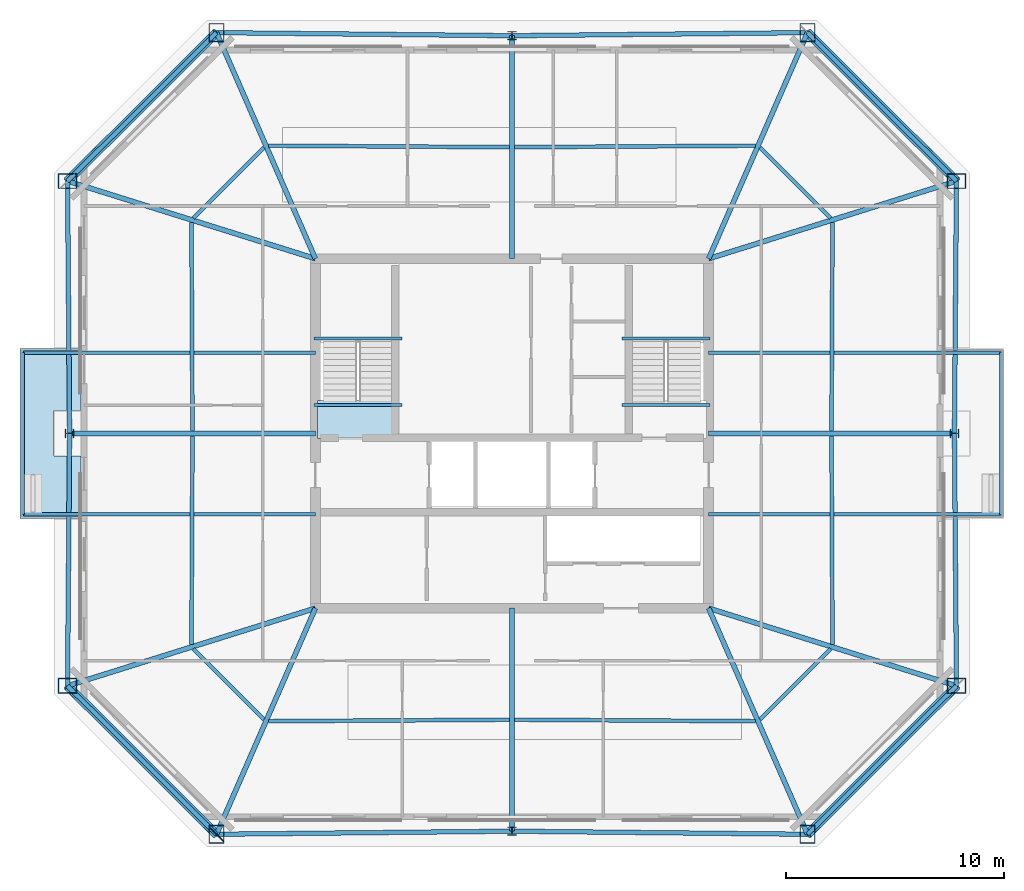
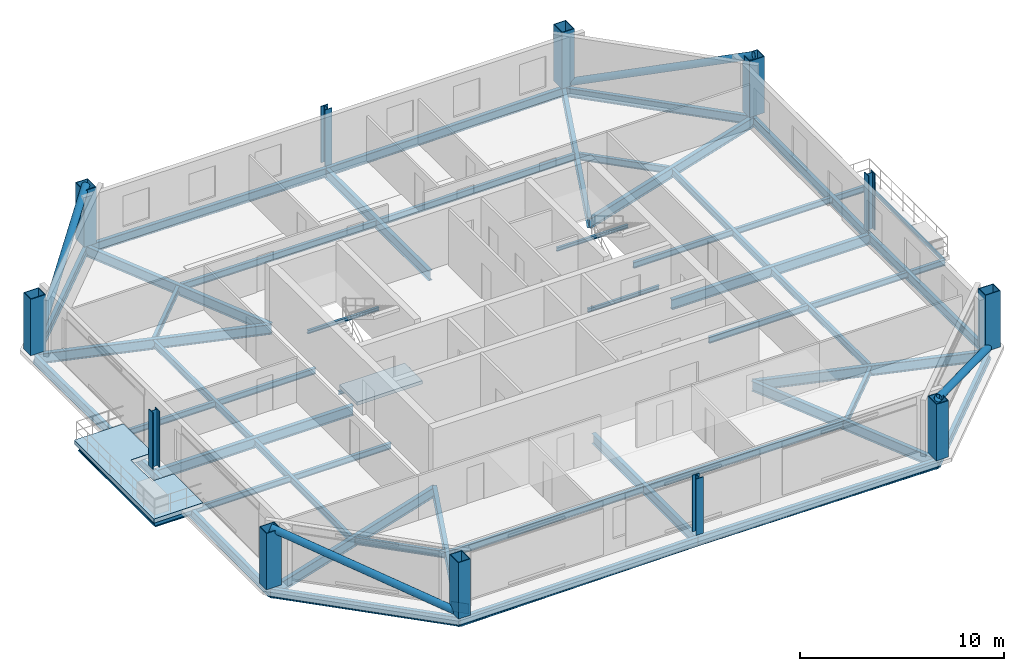
# One storey, part 1 of 7: 46 beams, 12 columns, 4 members, 2 slabs, 1 plate, 1 element without a shape of its own.
"""IFC4 building model written with IfcOpenShell, lengths in metres."""

from ifc_helpers import new_model, si_unit, direction, frame, origin, origin_2d, place, context, subcontext, project, spatial, polyline, rectangle, hollow_rectangle, hollow_circle, i_section, outline, extrude, material, layer, layer_set, material_profile, profile_set, type_object, element, aggregate, save


model = new_model("IFC4")

# Units and contexts
model_context = context("Model", 3, precision=1e-05, world=origin(), true_north=direction((0.0, 1.0)))
body_context = subcontext(model_context, "Body", "Model", "MODEL_VIEW")
ifc_project = project(units=[si_unit("LENGTHUNIT", "METRE"), si_unit("AREAUNIT", "SQUARE_METRE"), si_unit("VOLUMEUNIT", "CUBIC_METRE"), si_unit("PLANEANGLEUNIT", "RADIAN"), si_unit("MASSUNIT", "GRAM", prefix="KILO")], contexts=[model_context])

# Site, building, storey
site_placement = place(None, origin())
site = spatial("IfcSite", under=ifc_project, at=site_placement, CompositionType="ELEMENT")
building_placement = place(site_placement, origin())
building = spatial("IfcBuilding", under=site, at=building_placement, Name="Caelvoria Tower", CompositionType="ELEMENT")
storey_placement = place(building_placement, frame((0.0, 0.0, 223.800048828125)))
storey = spatial("IfcBuildingStorey", under=building, at=storey_placement, Name="L59", CompositionType="ELEMENT", Elevation=223.800048828125)

# Columns
ifc_material_1 = material(Name="Structural Steel ASTM A572 Gr.50", Category="steel")
ifc_material_profile_1 = material_profile(ifc_material_1, hollow_rectangle(XDim=0.699951171875, YDim=0.85009765625, WallThickness=0.0400390625, at=origin_2d()), Name="Structural Steel ASTM A572 Gr.50")
ifc_profile_set_1 = profile_set([ifc_material_profile_1], Name="BOX850X700X40 - Structural Steel ASTM A572 Gr.50")
column_type_1 = type_object("IfcColumnType", Name="Mega Box Column 850x700x40", PredefinedType="COLUMN", material=ifc_profile_set_1)
for number, where, z_axis, x_axis, name in (
    (1, (32.472900390625, 13.652099609375, 0.0), (0.0, 0.0, 1.0), (1.0, 0.0, 0.0), "Perimeter Megaframe Column L59-P00"),
    (2, (59.527099609375, 13.652099609375, 0.0), (0.0, 0.0, 1.0), (1.0, 0.0, 0.0), "Perimeter Megaframe Column L59-P02"),
    (3, (66.3466796875, 20.4462890625, 0.0), (0.0, 0.0, 1.0), (0.0, 1.0, 0.0), "Perimeter Megaframe Column L59-P03"),
    (4, (66.3466796875, 43.5537109375, 0.0), (0.0, 0.0, 1.0), (0.0, 1.0, 0.0), "Perimeter Megaframe Column L59-P05"),
    (5, (59.527099609375, 50.347900390625, 0.0), (0.0, 0.0, 1.0), (1.0, 0.0, 0.0), "Perimeter Megaframe Column L59-P06"),
    (6, (32.472900390625, 50.347900390625, 0.0), (0.0, 0.0, 1.0), (1.0, 0.0, 0.0), "Perimeter Megaframe Column L59-P08"),
    (7, (25.6533203125, 43.5537109375, 0.0), (0.0, 0.0, 1.0), (0.0, 1.0, 0.0), "Perimeter Megaframe Column L59-P09"),
    (8, (25.6533203125, 20.4462890625, 0.0), (0.0, 0.0, 1.0), (0.0, 1.0, 0.0), "Perimeter Megaframe Column L59-P11"),
):
    element("IfcColumn", number, at=place(storey_placement, frame(where, z_axis=z_axis, x_axis=x_axis)), inside=storey, type_object=column_type_1, Name=name, PredefinedType="COLUMN", context=body_context, shape_type="SweptSolid", body=[
        extrude(hollow_rectangle(XDim=0.699951171875, YDim=0.85009765625, WallThickness=0.0400390625, at=origin_2d()), origin(), (0.0, 0.0, 1.0), 3.373046875),
    ])
ifc_material_2 = material(Name="Structural Steel ASTM A992 Gr.50", Category="steel")
ifc_material_profile_2 = material_profile(ifc_material_2, i_section(OverallWidth=0.40087890625, OverallDepth=0.39892578125, WebThickness=0.02490234375, FlangeThickness=0.03955078125, FilletRadius=0.02490234375, at=origin_2d()), Name="Structural Steel ASTM A992 Gr.50")
ifc_profile_set_2 = profile_set([ifc_material_profile_2], Name="W360X314 - Structural Steel ASTM A992 Gr.50")
column_type_2 = type_object("IfcColumnType", Name="Upper Frame Column W360X314", PredefinedType="COLUMN", material=ifc_profile_set_2)
for number, where, z_axis, x_axis, name in (
    (9, (46.0, 13.792724609375, 0.0), (0.0, 0.0, 1.0), (1.0, 0.0, 0.0), "Perimeter Megaframe Column L59-P01"),
    (10, (66.252685546875, 32.0, 0.0), (0.0, 0.0, 1.0), (0.0, 1.0, 0.0), "Perimeter Megaframe Column L59-P04"),
    (11, (46.0, 50.207275390625, 0.0), (0.0, 0.0, 1.0), (1.0, 0.0, 0.0), "Perimeter Megaframe Column L59-P07"),
    (12, (25.747314453125, 32.0, 0.0), (0.0, 0.0, 1.0), (0.0, 1.0, 0.0), "Perimeter Megaframe Column L59-P10"),
):
    element("IfcColumn", number, at=place(storey_placement, frame(where, z_axis=z_axis, x_axis=x_axis)), inside=storey, type_object=column_type_2, Name=name, PredefinedType="COLUMN", context=body_context, shape_type="SweptSolid", body=[
        extrude(i_section(OverallWidth=0.40087890625, OverallDepth=0.39892578125, WebThickness=0.02490234375, FlangeThickness=0.03955078125, FilletRadius=0.02490234375, at=origin_2d()), origin(), (0.0, 0.0, 1.0), 3.373046875),
    ])

# Beams
ifc_material_profile_3 = material_profile(ifc_material_2, i_section(OverallWidth=0.134033203125, OverallDepth=0.2099609375, WebThickness=0.00634765625, FlangeThickness=0.01025390625, FilletRadius=0.010009765625, at=origin_2d()), Name="Structural Steel ASTM A992 Gr.50")
ifc_profile_set_3 = profile_set([ifc_material_profile_3], Name="W200X31.3 - Structural Steel ASTM A992 Gr.50")
beam_type_1 = type_object("IfcBeamType", Name="Canopy Edge Trim Beam W200X31.3", PredefinedType="BEAM", material=ifc_profile_set_3)
for number, where, z_axis, x_axis, name in (
    (13, (23.627197265625, 28.300048828125, -0.428955078125), (0.0, 1.0, 0.0), (-1.0, 0.0, 0.0), "Tree Balcony Edge Beam TB-L59-W"),
    (14, (68.372802734375, 28.300048828125, -0.428955078125), (0.0, 1.0, 0.0), (-1.0, 0.0, 0.0), "Tree Balcony Edge Beam TB-L59-E"),
):
    element("IfcBeam", number, at=place(storey_placement, frame(where, z_axis=z_axis, x_axis=x_axis)), inside=storey, type_object=beam_type_1, Name=name, PredefinedType="BEAM", context=body_context, shape_type="SweptSolid", body=[
        extrude(i_section(OverallWidth=0.134033203125, OverallDepth=0.2099609375, WebThickness=0.00634765625, FlangeThickness=0.01025390625, FilletRadius=0.010009765625, at=origin_2d()), origin(), (0.0, 0.0, 1.0), 7.39990234375),
    ])
for number, where, z_axis, x_axis, name in (
    (15, (36.929931640625, 36.35009765625, 1.494873046875), (1.0, 0.0, 0.0), (0.0, 1.0, 0.0), "ST-01 Half-Landing Support Beam L59"),
    (16, (36.929931640625, 33.300048828125, -0.304931640625), (1.0, 0.0, 0.0), (0.0, 1.0, 0.0), "ST-01 Floor-Landing Support Beam L59"),
    (17, (51.030029296875, 36.35009765625, 1.494873046875), (1.0, 0.0, 0.0), (0.0, 1.0, 0.0), "ST-02 Half-Landing Support Beam L59"),
    (18, (51.030029296875, 33.300048828125, -0.304931640625), (1.0, 0.0, 0.0), (0.0, 1.0, 0.0), "ST-02 Floor-Landing Support Beam L59"),
):
    element("IfcBeam", number, at=place(storey_placement, frame(where, z_axis=z_axis, x_axis=x_axis)), inside=storey, type_object=beam_type_1, Name=name, PredefinedType="BEAM", context=body_context, shape_type="SweptSolid", body=[
        extrude(i_section(OverallWidth=0.134033203125, OverallDepth=0.2099609375, WebThickness=0.00634765625, FlangeThickness=0.01025390625, FilletRadius=0.010009765625, at=origin_2d()), origin(), (0.0, 0.0, 1.0), 4.0400390625),
    ])
ifc_material_profile_4 = material_profile(ifc_material_2, i_section(OverallWidth=0.22802734375, OverallDepth=0.60302734375, WebThickness=0.010498046875, FlangeThickness=0.014892578125, FilletRadius=0.01806640625, at=origin_2d()), Name="Structural Steel ASTM A992 Gr.50")
ifc_profile_set_4 = profile_set([ifc_material_profile_4], Name="W610X101 - Structural Steel ASTM A992 Gr.50")
beam_type_2 = type_object("IfcBeamType", Name="Primary Floor Girder W610X101", PredefinedType="BEAM", material=ifc_profile_set_4)
beam_1_placement = place(storey_placement, frame((37.0, 24.0, -0.526611328125), z_axis=(-0.400810896615, -0.916160807476, 0.0), x_axis=(0.916160807476, -0.400810896615, 0.0)))
element("IfcBeam", 19, at=beam_1_placement, inside=storey, type_object=beam_type_2, Name="Primary Floor Girder L59-00", PredefinedType="BEAM", context=body_context, shape_type="SweptSolid", body=[
    extrude(i_section(OverallWidth=0.22802734375, OverallDepth=0.60302734375, WebThickness=0.010498046875, FlangeThickness=0.014892578125, FilletRadius=0.01806640625, at=origin_2d()), origin(), (0.0, 0.0, 1.0), 11.294921875),
])
beam_2_placement = place(storey_placement, frame((46.0, 24.0, -0.526611328125), z_axis=(0.0, -1.0, 0.0), x_axis=(1.0, 0.0, 0.0)))
element("IfcBeam", 20, at=beam_2_placement, inside=storey, type_object=beam_type_2, Name="Primary Floor Girder L59-01", PredefinedType="BEAM", context=body_context, shape_type="SweptSolid", body=[
    extrude(i_section(OverallWidth=0.22802734375, OverallDepth=0.60302734375, WebThickness=0.010498046875, FlangeThickness=0.014892578125, FilletRadius=0.01806640625, at=origin_2d()), origin(), (0.0, 0.0, 1.0), 10.207275390625),
])
beam_3_placement = place(storey_placement, frame((55.0, 24.0, -0.526611328125), z_axis=(0.400810896615, -0.916160807476, 0.0), x_axis=(0.916160807476, 0.400810896615, 0.0)))
element("IfcBeam", 21, at=beam_3_placement, inside=storey, type_object=beam_type_2, Name="Primary Floor Girder L59-02", PredefinedType="BEAM", context=body_context, shape_type="SweptSolid", body=[
    extrude(i_section(OverallWidth=0.22802734375, OverallDepth=0.60302734375, WebThickness=0.010498046875, FlangeThickness=0.014892578125, FilletRadius=0.01806640625, at=origin_2d()), origin(), (0.0, 0.0, 1.0), 11.294921875),
])
beam_4_placement = place(storey_placement, frame((55.0, 24.0, -0.526611328125), z_axis=(0.954291263844, -0.298878208893, 0.0), x_axis=(0.298878208893, 0.954291263844, 0.0)))
element("IfcBeam", 22, at=beam_4_placement, inside=storey, type_object=beam_type_2, Name="Primary Floor Girder L59-03", PredefinedType="BEAM", context=body_context, shape_type="SweptSolid", body=[
    extrude(i_section(OverallWidth=0.22802734375, OverallDepth=0.60302734375, WebThickness=0.010498046875, FlangeThickness=0.014892578125, FilletRadius=0.01806640625, at=origin_2d()), origin(), (0.0, 0.0, 1.0), 11.89013671875),
])
beam_5_placement = place(storey_placement, frame((55.0, 32.0, -0.526611328125), z_axis=(1.0, 0.0, 0.0), x_axis=(0.0, 1.0, 0.0)))
element("IfcBeam", 23, at=beam_5_placement, inside=storey, type_object=beam_type_2, Name="Primary Floor Girder L59-04", PredefinedType="BEAM", context=body_context, shape_type="SweptSolid", body=[
    extrude(i_section(OverallWidth=0.22802734375, OverallDepth=0.60302734375, WebThickness=0.010498046875, FlangeThickness=0.014892578125, FilletRadius=0.01806640625, at=origin_2d()), origin(), (0.0, 0.0, 1.0), 11.252685546875),
])
beam_6_placement = place(storey_placement, frame((55.0, 40.0, -0.526611328125), z_axis=(0.954291263844, 0.298878208893, 0.0), x_axis=(-0.298878208893, 0.954291263844, 0.0)))
element("IfcBeam", 24, at=beam_6_placement, inside=storey, type_object=beam_type_2, Name="Primary Floor Girder L59-05", PredefinedType="BEAM", context=body_context, shape_type="SweptSolid", body=[
    extrude(i_section(OverallWidth=0.22802734375, OverallDepth=0.60302734375, WebThickness=0.010498046875, FlangeThickness=0.014892578125, FilletRadius=0.01806640625, at=origin_2d()), origin(), (0.0, 0.0, 1.0), 11.89013671875),
])
beam_7_placement = place(storey_placement, frame((55.0, 40.0, -0.526611328125), z_axis=(0.400810896615, 0.916160807476, 0.0), x_axis=(-0.916160807476, 0.400810896615, 0.0)))
element("IfcBeam", 25, at=beam_7_placement, inside=storey, type_object=beam_type_2, Name="Primary Floor Girder L59-06", PredefinedType="BEAM", context=body_context, shape_type="SweptSolid", body=[
    extrude(i_section(OverallWidth=0.22802734375, OverallDepth=0.60302734375, WebThickness=0.010498046875, FlangeThickness=0.014892578125, FilletRadius=0.01806640625, at=origin_2d()), origin(), (0.0, 0.0, 1.0), 11.294921875),
])
beam_8_placement = place(storey_placement, frame((46.0, 40.0, -0.526611328125), z_axis=(0.0, 1.0, 0.0), x_axis=(-1.0, 0.0, 0.0)))
element("IfcBeam", 26, at=beam_8_placement, inside=storey, type_object=beam_type_2, Name="Primary Floor Girder L59-07", PredefinedType="BEAM", context=body_context, shape_type="SweptSolid", body=[
    extrude(i_section(OverallWidth=0.22802734375, OverallDepth=0.60302734375, WebThickness=0.010498046875, FlangeThickness=0.014892578125, FilletRadius=0.01806640625, at=origin_2d()), origin(), (0.0, 0.0, 1.0), 10.207275390625),
])
beam_9_placement = place(storey_placement, frame((37.0, 40.0, -0.526611328125), z_axis=(-0.400810896615, 0.916160807476, 0.0), x_axis=(-0.916160807476, -0.400810896615, 0.0)))
element("IfcBeam", 27, at=beam_9_placement, inside=storey, type_object=beam_type_2, Name="Primary Floor Girder L59-08", PredefinedType="BEAM", context=body_context, shape_type="SweptSolid", body=[
    extrude(i_section(OverallWidth=0.22802734375, OverallDepth=0.60302734375, WebThickness=0.010498046875, FlangeThickness=0.014892578125, FilletRadius=0.01806640625, at=origin_2d()), origin(), (0.0, 0.0, 1.0), 11.294921875),
])
beam_10_placement = place(storey_placement, frame((37.0, 40.0, -0.526611328125), z_axis=(-0.954291263844, 0.298878208893, 0.0), x_axis=(-0.298878208893, -0.954291263844, 0.0)))
element("IfcBeam", 28, at=beam_10_placement, inside=storey, type_object=beam_type_2, Name="Primary Floor Girder L59-09", PredefinedType="BEAM", context=body_context, shape_type="SweptSolid", body=[
    extrude(i_section(OverallWidth=0.22802734375, OverallDepth=0.60302734375, WebThickness=0.010498046875, FlangeThickness=0.014892578125, FilletRadius=0.01806640625, at=origin_2d()), origin(), (0.0, 0.0, 1.0), 11.89013671875),
])
beam_11_placement = place(storey_placement, frame((37.0, 32.0, -0.526611328125), z_axis=(-1.0, 0.0, 0.0), x_axis=(0.0, -1.0, 0.0)))
element("IfcBeam", 29, at=beam_11_placement, inside=storey, type_object=beam_type_2, Name="Primary Floor Girder L59-10", PredefinedType="BEAM", context=body_context, shape_type="SweptSolid", body=[
    extrude(i_section(OverallWidth=0.22802734375, OverallDepth=0.60302734375, WebThickness=0.010498046875, FlangeThickness=0.014892578125, FilletRadius=0.01806640625, at=origin_2d()), origin(), (0.0, 0.0, 1.0), 11.252685546875),
])
beam_12_placement = place(storey_placement, frame((37.0, 24.0, -0.526611328125), z_axis=(-0.954291263844, -0.298878208893, 0.0), x_axis=(0.298878208893, -0.954291263844, 0.0)))
element("IfcBeam", 30, at=beam_12_placement, inside=storey, type_object=beam_type_2, Name="Primary Floor Girder L59-11", PredefinedType="BEAM", context=body_context, shape_type="SweptSolid", body=[
    extrude(i_section(OverallWidth=0.22802734375, OverallDepth=0.60302734375, WebThickness=0.010498046875, FlangeThickness=0.014892578125, FilletRadius=0.01806640625, at=origin_2d()), origin(), (0.0, 0.0, 1.0), 11.89013671875),
])
ifc_material_profile_5 = material_profile(ifc_material_2, i_section(OverallWidth=0.177978515625, OverallDepth=0.406982421875, WebThickness=0.0078125, FlangeThickness=0.0126953125, FilletRadius=0.013916015625, at=origin_2d()), Name="Structural Steel ASTM A992 Gr.50")
ifc_profile_set_5 = profile_set([ifc_material_profile_5], Name="W410X60 - Structural Steel ASTM A992 Gr.50")
beam_type_3 = type_object("IfcBeamType", Name="Secondary Floor Beam W410X60", PredefinedType="BEAM", material=ifc_profile_set_5)
for number, where, z_axis, x_axis, name in (
    (31, (34.861328125, 18.826904296875, -0.428466796875), (0.99998060071, 0.006228820465, 0.0), (-0.006228820465, 0.99998060071, 0.0), "Secondary Floor Beam L59-00"),
    (32, (46.125, 18.8955078125, -0.428466796875), (0.99998060071, -0.006228820465, 0.0), (0.006228820465, 0.99998060071, 0.0), "Secondary Floor Beam L59-01"),
):
    element("IfcBeam", number, at=place(storey_placement, frame(where, z_axis=z_axis, x_axis=x_axis)), inside=storey, type_object=beam_type_3, Name=name, PredefinedType="BEAM", context=body_context, shape_type="SweptSolid", body=[
        extrude(i_section(OverallWidth=0.177978515625, OverallDepth=0.406982421875, WebThickness=0.0078125, FlangeThickness=0.0126953125, FilletRadius=0.013916015625, at=origin_2d()), origin(), (0.0, 0.0, 1.0), 11.013916015625),
    ])
beam_13_placement = place(storey_placement, frame((57.352294921875, 18.914306640625, -0.428466796875), z_axis=(0.708389705346, 0.705821525146, 0.0), x_axis=(-0.705821525146, 0.708389705346, 0.0)))
element("IfcBeam", 33, at=beam_13_placement, inside=storey, type_object=beam_type_3, Name="Secondary Floor Beam L59-02", PredefinedType="BEAM", context=body_context, shape_type="SweptSolid", body=[
    extrude(i_section(OverallWidth=0.177978515625, OverallDepth=0.406982421875, WebThickness=0.0078125, FlangeThickness=0.0126953125, FilletRadius=0.013916015625, at=origin_2d()), origin(), (0.0, 0.0, 1.0), 4.56298828125),
])
for number, where, z_axis, x_axis, name in (
    (34, (60.672607421875, 22.34814453125, -0.428466796875), (-0.004792113495, 0.999988517758, 0.0), (-0.999988517758, -0.004792113495, 0.0), "Secondary Floor Beam L59-03"),
    (35, (60.626953125, 32.125, -0.428466796875), (0.004792113495, 0.999988517758, 0.0), (-0.999988517758, 0.004792113495, 0.0), "Secondary Floor Beam L59-04"),
):
    element("IfcBeam", number, at=place(storey_placement, frame(where, z_axis=z_axis, x_axis=x_axis)), inside=storey, type_object=beam_type_3, Name=name, PredefinedType="BEAM", context=body_context, shape_type="SweptSolid", body=[
        extrude(i_section(OverallWidth=0.177978515625, OverallDepth=0.406982421875, WebThickness=0.0078125, FlangeThickness=0.0126953125, FilletRadius=0.013916015625, at=origin_2d()), origin(), (0.0, 0.0, 1.0), 9.52685546875),
    ])
beam_14_placement = place(storey_placement, frame((60.584716796875, 41.864990234375, -0.428466796875), z_axis=(-0.708389705346, 0.705821525146, 0.0), x_axis=(-0.705821525146, -0.708389705346, 0.0)))
element("IfcBeam", 36, at=beam_14_placement, inside=storey, type_object=beam_type_3, Name="Secondary Floor Beam L59-05", PredefinedType="BEAM", context=body_context, shape_type="SweptSolid", body=[
    extrude(i_section(OverallWidth=0.177978515625, OverallDepth=0.406982421875, WebThickness=0.0078125, FlangeThickness=0.0126953125, FilletRadius=0.013916015625, at=origin_2d()), origin(), (0.0, 0.0, 1.0), 4.56298828125),
])
for number, where, z_axis, x_axis, name in (
    (37, (57.138671875, 45.173095703125, -0.428466796875), (-0.99998060071, -0.006228820465, 0.0), (0.006228820465, -0.99998060071, 0.0), "Secondary Floor Beam L59-06"),
    (38, (45.875, 45.1044921875, -0.428466796875), (-0.99998060071, 0.006228820465, 0.0), (-0.006228820465, -0.99998060071, 0.0), "Secondary Floor Beam L59-07"),
):
    element("IfcBeam", number, at=place(storey_placement, frame(where, z_axis=z_axis, x_axis=x_axis)), inside=storey, type_object=beam_type_3, Name=name, PredefinedType="BEAM", context=body_context, shape_type="SweptSolid", body=[
        extrude(i_section(OverallWidth=0.177978515625, OverallDepth=0.406982421875, WebThickness=0.0078125, FlangeThickness=0.0126953125, FilletRadius=0.013916015625, at=origin_2d()), origin(), (0.0, 0.0, 1.0), 11.013916015625),
    ])
beam_15_placement = place(storey_placement, frame((34.647705078125, 45.085693359375, -0.428466796875), z_axis=(-0.708389705346, -0.705821525146, 0.0), x_axis=(0.705821525146, -0.708389705346, 0.0)))
element("IfcBeam", 39, at=beam_15_placement, inside=storey, type_object=beam_type_3, Name="Secondary Floor Beam L59-08", PredefinedType="BEAM", context=body_context, shape_type="SweptSolid", body=[
    extrude(i_section(OverallWidth=0.177978515625, OverallDepth=0.406982421875, WebThickness=0.0078125, FlangeThickness=0.0126953125, FilletRadius=0.013916015625, at=origin_2d()), origin(), (0.0, 0.0, 1.0), 4.56298828125),
])
for number, where, z_axis, x_axis, name in (
    (40, (31.327392578125, 41.65185546875, -0.428466796875), (0.004792113495, -0.999988517758, 0.0), (0.999988517758, 0.004792113495, 0.0), "Secondary Floor Beam L59-09"),
    (41, (31.373046875, 31.875, -0.428466796875), (-0.004792113495, -0.999988517758, 0.0), (0.999988517758, -0.004792113495, 0.0), "Secondary Floor Beam L59-10"),
):
    element("IfcBeam", number, at=place(storey_placement, frame(where, z_axis=z_axis, x_axis=x_axis)), inside=storey, type_object=beam_type_3, Name=name, PredefinedType="BEAM", context=body_context, shape_type="SweptSolid", body=[
        extrude(i_section(OverallWidth=0.177978515625, OverallDepth=0.406982421875, WebThickness=0.0078125, FlangeThickness=0.0126953125, FilletRadius=0.013916015625, at=origin_2d()), origin(), (0.0, 0.0, 1.0), 9.52685546875),
    ])
beam_16_placement = place(storey_placement, frame((31.415283203125, 22.135009765625, -0.428466796875), z_axis=(0.708389705346, -0.705821525146, 0.0), x_axis=(0.705821525146, 0.708389705346, 0.0)))
element("IfcBeam", 42, at=beam_16_placement, inside=storey, type_object=beam_type_3, Name="Secondary Floor Beam L59-11", PredefinedType="BEAM", context=body_context, shape_type="SweptSolid", body=[
    extrude(i_section(OverallWidth=0.177978515625, OverallDepth=0.406982421875, WebThickness=0.0078125, FlangeThickness=0.0126953125, FilletRadius=0.013916015625, at=origin_2d()), origin(), (0.0, 0.0, 1.0), 4.56298828125),
])
ifc_material_profile_6 = material_profile(ifc_material_2, i_section(OverallWidth=0.1708984375, OverallDepth=0.35498046875, WebThickness=0.007080078125, FlangeThickness=0.01171875, FilletRadius=0.012939453125, at=origin_2d()), Name="Structural Steel ASTM A992 Gr.50")
ifc_profile_set_6 = profile_set([ifc_material_profile_6], Name="W360X51 - Structural Steel ASTM A992 Gr.50")
beam_type_4 = type_object("IfcBeamType", Name="Tree Balcony Cantilever Beam W360X51", PredefinedType="BEAM", material=ifc_profile_set_6)
for number, where, z_axis, x_axis, name in (
    (43, (37.0, 28.300048828125, -0.428955078125), (-1.0, 0.0, 0.0), (0.0, -1.0, 0.0), "Tree Balcony Cantilever Beam TB-L59-W L"),
    (44, (37.0, 35.699951171875, -0.428955078125), (-1.0, 0.0, 0.0), (0.0, -1.0, 0.0), "Tree Balcony Cantilever Beam TB-L59-W R"),
    (45, (55.0, 28.300048828125, -0.428955078125), (1.0, 0.0, 0.0), (0.0, 1.0, 0.0), "Tree Balcony Cantilever Beam TB-L59-E L"),
    (46, (55.0, 35.699951171875, -0.428955078125), (1.0, 0.0, 0.0), (0.0, 1.0, 0.0), "Tree Balcony Cantilever Beam TB-L59-E R"),
):
    element("IfcBeam", number, at=place(storey_placement, frame(where, z_axis=z_axis, x_axis=x_axis)), inside=storey, type_object=beam_type_4, Name=name, PredefinedType="BEAM", context=body_context, shape_type="SweptSolid", body=[
        extrude(i_section(OverallWidth=0.1708984375, OverallDepth=0.35498046875, WebThickness=0.007080078125, FlangeThickness=0.01171875, FilletRadius=0.012939453125, at=origin_2d()), origin(), (0.0, 0.0, 1.0), 13.372802734375),
    ])

# Members
ifc_material_profile_7 = material_profile(ifc_material_1, hollow_circle(Radius=0.202880859375, WallThickness=0.01611328125, at=origin_2d()), Name="Structural Steel ASTM A572 Gr.50")
ifc_profile_set_7 = profile_set([ifc_material_profile_7], Name="CHS406X16 - Structural Steel ASTM A572 Gr.50")
member_type = type_object("IfcMemberType", Name="Upper Perimeter Mega Brace CHS406X16", PredefinedType="BRACE", material=ifc_profile_set_7)
for number, where, z_axis, x_axis, name in (
    (47, (66.3466796875, 20.4462890625, 0.0), (-0.668527464855, -0.666038406883, 0.33085324434), (0.705786750432, -0.708424352288, 0.0), "Perimeter Chamfer Mega Brace L59 SE"),
    (48, (59.527099609375, 50.347900390625, 0.0), (0.668527464855, -0.666038406883, 0.33085324434), (0.705786750432, 0.708424352288, 0.0), "Perimeter Chamfer Mega Brace L59 NE"),
    (49, (25.6533203125, 43.5537109375, 0.0), (0.668527464855, 0.666038406883, 0.33085324434), (-0.705786750432, 0.708424352288, 0.0), "Perimeter Chamfer Mega Brace L59 NW"),
    (50, (32.472900390625, 13.652099609375, 0.0), (-0.668527464855, 0.666038406883, 0.33085324434), (-0.705786750432, -0.708424352288, 0.0), "Perimeter Chamfer Mega Brace L59 SW"),
):
    element("IfcMember", number, at=place(storey_placement, frame(where, z_axis=z_axis, x_axis=x_axis)), inside=storey, type_object=member_type, Name=name, PredefinedType="BRACE", context=body_context, shape_type="SweptSolid", body=[
        extrude(hollow_circle(Radius=0.202880859375, WallThickness=0.01611328125, at=origin_2d()), origin(), (0.0, 0.0, 1.0), 10.200927734375),
    ])

# Beams
ifc_material_profile_8 = material_profile(ifc_material_2, i_section(OverallWidth=0.208984375, OverallDepth=0.532958984375, WebThickness=0.01025390625, FlangeThickness=0.015625, FilletRadius=0.01611328125, at=origin_2d()), Name="Structural Steel ASTM A992 Gr.50")
ifc_profile_set_8 = profile_set([ifc_material_profile_8], Name="W530X92 - Structural Steel ASTM A992 Gr.50")
beam_type_5 = type_object("IfcBeamType", Name="Upper Zone Spandrel W530X92", PredefinedType="BEAM", material=ifc_profile_set_8)
for number, where, z_axis, x_axis, name in (
    (51, (32.472900390625, 13.652099609375, -0.491455078125), (0.999945968068, 0.01039523666, 0.0), (-0.01039523666, 0.999945968068, 0.0), "Perimeter Spandrel Girder L59-00"),
    (52, (46.0, 13.792724609375, -0.491455078125), (0.999945968068, -0.01039523666, 0.0), (0.01039523666, 0.999945968068, 0.0), "Perimeter Spandrel Girder L59-01"),
):
    element("IfcBeam", number, at=place(storey_placement, frame(where, z_axis=z_axis, x_axis=x_axis)), inside=storey, type_object=beam_type_5, Name=name, PredefinedType="BEAM", context=body_context, shape_type="SweptSolid", body=[
        extrude(i_section(OverallWidth=0.208984375, OverallDepth=0.532958984375, WebThickness=0.01025390625, FlangeThickness=0.015625, FilletRadius=0.01611328125, at=origin_2d()), origin(), (0.0, 0.0, 1.0), 13.52783203125),
    ])
beam_17_placement = place(storey_placement, frame((59.527099609375, 13.652099609375, -0.491455078125), z_axis=(0.708424352288, 0.705786750432, 0.0), x_axis=(-0.705786750432, 0.708424352288, 0.0)))
element("IfcBeam", 53, at=beam_17_placement, inside=storey, type_object=beam_type_5, Name="Perimeter Spandrel Girder L59-02", PredefinedType="BEAM", context=body_context, shape_type="SweptSolid", body=[
    extrude(i_section(OverallWidth=0.208984375, OverallDepth=0.532958984375, WebThickness=0.01025390625, FlangeThickness=0.015625, FilletRadius=0.01611328125, at=origin_2d()), origin(), (0.0, 0.0, 1.0), 9.62646484375),
])
for number, where, z_axis, x_axis, name in (
    (54, (66.3466796875, 20.4462890625, -0.491455078125), (-0.008135137775, 0.999966909219, 0.0), (-0.999966909219, -0.008135137775, 0.0), "Perimeter Spandrel Girder L59-03"),
    (55, (66.252685546875, 32.0, -0.491455078125), (0.008135137775, 0.999966909219, 0.0), (-0.999966909219, 0.008135137775, 0.0), "Perimeter Spandrel Girder L59-04"),
):
    element("IfcBeam", number, at=place(storey_placement, frame(where, z_axis=z_axis, x_axis=x_axis)), inside=storey, type_object=beam_type_5, Name=name, PredefinedType="BEAM", context=body_context, shape_type="SweptSolid", body=[
        extrude(i_section(OverallWidth=0.208984375, OverallDepth=0.532958984375, WebThickness=0.01025390625, FlangeThickness=0.015625, FilletRadius=0.01611328125, at=origin_2d()), origin(), (0.0, 0.0, 1.0), 11.55419921875),
    ])
beam_18_placement = place(storey_placement, frame((66.3466796875, 43.5537109375, -0.491455078125), z_axis=(-0.708424352288, 0.705786750432, 0.0), x_axis=(-0.705786750432, -0.708424352288, 0.0)))
element("IfcBeam", 56, at=beam_18_placement, inside=storey, type_object=beam_type_5, Name="Perimeter Spandrel Girder L59-05", PredefinedType="BEAM", context=body_context, shape_type="SweptSolid", body=[
    extrude(i_section(OverallWidth=0.208984375, OverallDepth=0.532958984375, WebThickness=0.01025390625, FlangeThickness=0.015625, FilletRadius=0.01611328125, at=origin_2d()), origin(), (0.0, 0.0, 1.0), 9.62646484375),
])
for number, where, z_axis, x_axis, name in (
    (57, (59.527099609375, 50.347900390625, -0.491455078125), (-0.999945968068, -0.01039523666, 0.0), (0.01039523666, -0.999945968068, 0.0), "Perimeter Spandrel Girder L59-06"),
    (58, (46.0, 50.207275390625, -0.491455078125), (-0.999945968068, 0.01039523666, 0.0), (-0.01039523666, -0.999945968068, 0.0), "Perimeter Spandrel Girder L59-07"),
):
    element("IfcBeam", number, at=place(storey_placement, frame(where, z_axis=z_axis, x_axis=x_axis)), inside=storey, type_object=beam_type_5, Name=name, PredefinedType="BEAM", context=body_context, shape_type="SweptSolid", body=[
        extrude(i_section(OverallWidth=0.208984375, OverallDepth=0.532958984375, WebThickness=0.01025390625, FlangeThickness=0.015625, FilletRadius=0.01611328125, at=origin_2d()), origin(), (0.0, 0.0, 1.0), 13.52783203125),
    ])
beam_19_placement = place(storey_placement, frame((32.472900390625, 50.347900390625, -0.491455078125), z_axis=(-0.708424352288, -0.705786750432, 0.0), x_axis=(0.705786750432, -0.708424352288, 0.0)))
element("IfcBeam", 59, at=beam_19_placement, inside=storey, type_object=beam_type_5, Name="Perimeter Spandrel Girder L59-08", PredefinedType="BEAM", context=body_context, shape_type="SweptSolid", body=[
    extrude(i_section(OverallWidth=0.208984375, OverallDepth=0.532958984375, WebThickness=0.01025390625, FlangeThickness=0.015625, FilletRadius=0.01611328125, at=origin_2d()), origin(), (0.0, 0.0, 1.0), 9.62646484375),
])
for number, where, z_axis, x_axis, name in (
    (60, (25.6533203125, 43.5537109375, -0.491455078125), (0.008135137775, -0.999966909219, 0.0), (0.999966909219, 0.008135137775, 0.0), "Perimeter Spandrel Girder L59-09"),
    (61, (25.747314453125, 32.0, -0.491455078125), (-0.008135137775, -0.999966909219, 0.0), (0.999966909219, -0.008135137775, 0.0), "Perimeter Spandrel Girder L59-10"),
):
    element("IfcBeam", number, at=place(storey_placement, frame(where, z_axis=z_axis, x_axis=x_axis)), inside=storey, type_object=beam_type_5, Name=name, PredefinedType="BEAM", context=body_context, shape_type="SweptSolid", body=[
        extrude(i_section(OverallWidth=0.208984375, OverallDepth=0.532958984375, WebThickness=0.01025390625, FlangeThickness=0.015625, FilletRadius=0.01611328125, at=origin_2d()), origin(), (0.0, 0.0, 1.0), 11.55419921875),
    ])
beam_20_placement = place(storey_placement, frame((25.6533203125, 20.4462890625, -0.491455078125), z_axis=(0.708424352288, -0.705786750432, 0.0), x_axis=(0.705786750432, 0.708424352288, 0.0)))
element("IfcBeam", 62, at=beam_20_placement, inside=storey, type_object=beam_type_5, Name="Perimeter Spandrel Girder L59-11", PredefinedType="BEAM", context=body_context, shape_type="SweptSolid", body=[
    extrude(i_section(OverallWidth=0.208984375, OverallDepth=0.532958984375, WebThickness=0.01025390625, FlangeThickness=0.015625, FilletRadius=0.01611328125, at=origin_2d()), origin(), (0.0, 0.0, 1.0), 9.62646484375),
])

# Plate
ifc_layer_1 = layer(ifc_material_1, 0.0400390625, Name="Structural Steel ASTM A572 Gr.50")
ifc_layer_set_1 = layer_set([ifc_layer_1], Name="Megaframe Node Gusset Plate 900x600x40 - Structural Steel ASTM A572 Gr.50")
plate_type = type_object("IfcPlateType", Name="Megaframe Node Gusset Plate 900x600x40", PredefinedType="USERDEFINED", material=ifc_layer_set_1)
plate_placement = place(storey_placement, frame((32.472900390625, 13.652099609375, 0.02001953125), z_axis=(0.0, 0.0, 1.0), x_axis=(-0.708414984386, 0.705796153218, 0.0)))
element("IfcPlate", 63, at=plate_placement, inside=storey, type_object=plate_type, Name="Chamfer Mega Brace Gusset L59 SW", ObjectType="GUSSET_PLATE", PredefinedType="USERDEFINED", context=body_context, shape_type="SweptSolid", body=[
    extrude(rectangle(XDim=0.89990234375, YDim=0.0400390625, at=origin_2d()), origin(), (0.0, 0.0, 1.0), 0.60009765625),
])

# Stair, slab
ifc_material_3 = material(Name="Concrete C40/50", Category="concrete")
stair_type = type_object("IfcStairType", Name="Core Smokeproof Dogleg Stair Concrete C40/50", PredefinedType="HALF_TURN_STAIR", material=ifc_material_3)
stair_placement = place(storey_placement, origin())
stair = element("IfcStair", 64, at=stair_placement, inside=storey, type_object=stair_type, Name="ST-01 Smokeproof Exit Stair L59", PredefinedType="HALF_TURN_STAIR")
ifc_layer_2 = layer(ifc_material_3, 0.199951171875, Name="Concrete C40/50")
ifc_layer_set_2 = layer_set([ifc_layer_2], Name="Stair Half and Floor Landing Slab 200 Concrete C40/50 - Concrete C40/50")
slab_type_1 = type_object("IfcSlabType", Name="Stair Half and Floor Landing Slab 200 Concrete C40/50", PredefinedType="LANDING", material=ifc_layer_set_2)
slab_1_placement = place(storey_placement, frame((0.0, 0.0, -0.199951171875)))
slab_1 = element("IfcSlab", 65, at=slab_1_placement, type_object=slab_type_1, Name="ST-01 landing 1", PredefinedType="LANDING", context=body_context, shape_type="SweptSolid", body=[
    extrude(outline(polyline([(37.10009765625, 31.77001953125), (40.800048828125, 31.77001953125), (40.800048828125, 33.5), (37.10009765625, 33.5), (37.10009765625, 31.77001953125)])), origin(), (0.0, 0.0, 1.0), 0.199951171875),
])
aggregate(stair, [slab_1])

# Slab
ifc_material_4 = material(Name="Concrete C45/55", Category="concrete")
ifc_layer_3 = layer(ifc_material_4, 0.25, Name="Concrete C45/55")
ifc_layer_set_3 = layer_set([ifc_layer_3], Name="Tree Balcony Structural Planter Slab 250 - Concrete C45/55")
slab_type_2 = type_object("IfcSlabType", Name="Tree Balcony Structural Planter Slab 250", PredefinedType="FLOOR", material=ifc_layer_set_3)
slab_2_placement = place(storey_placement, frame((0.0, 0.0, -0.25)))
element("IfcSlab", 66, at=slab_2_placement, inside=storey, type_object=slab_type_2, Name="Tree Balcony Slab TB-L59-W", PredefinedType="FLOOR", context=body_context, shape_type="SweptSolid", body=[
    extrude(outline(polyline([(23.477294921875, 28.10009765625), (25.02734375, 28.10009765625), (26.267333984375, 28.10009765625), (26.267333984375, 30.9599609375), (25.02734375, 30.9599609375), (25.02734375, 33.0400390625), (26.267333984375, 33.0400390625), (26.267333984375, 35.89990234375), (25.02734375, 35.89990234375), (23.477294921875, 35.89990234375), (23.477294921875, 28.10009765625)])), origin(), (0.0, 0.0, 1.0), 0.25),
])

save(model, "model.ifc")
